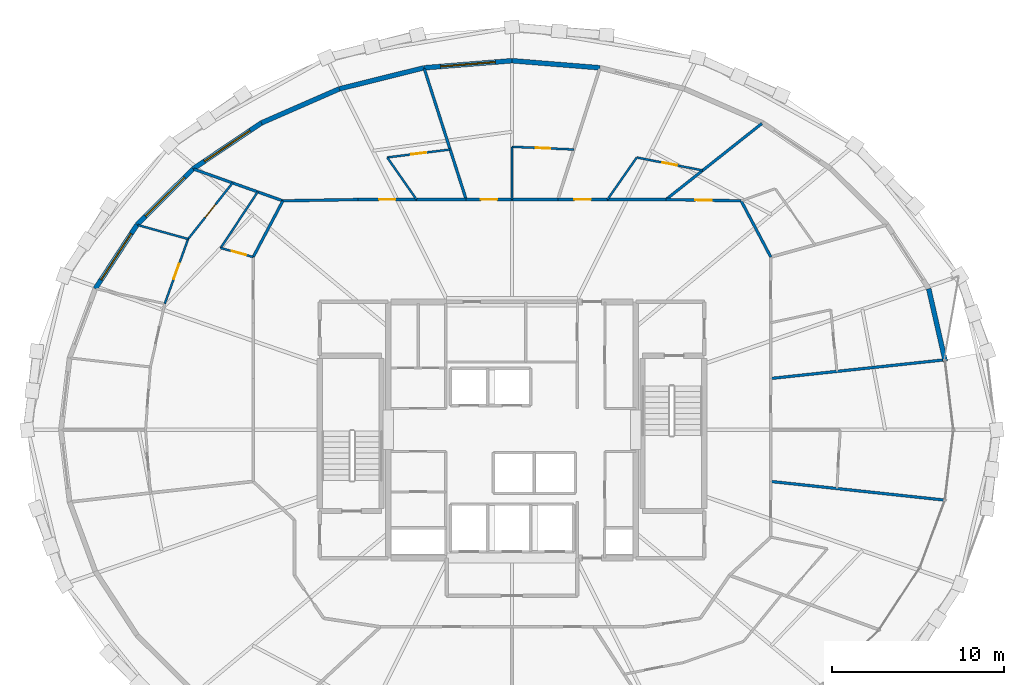
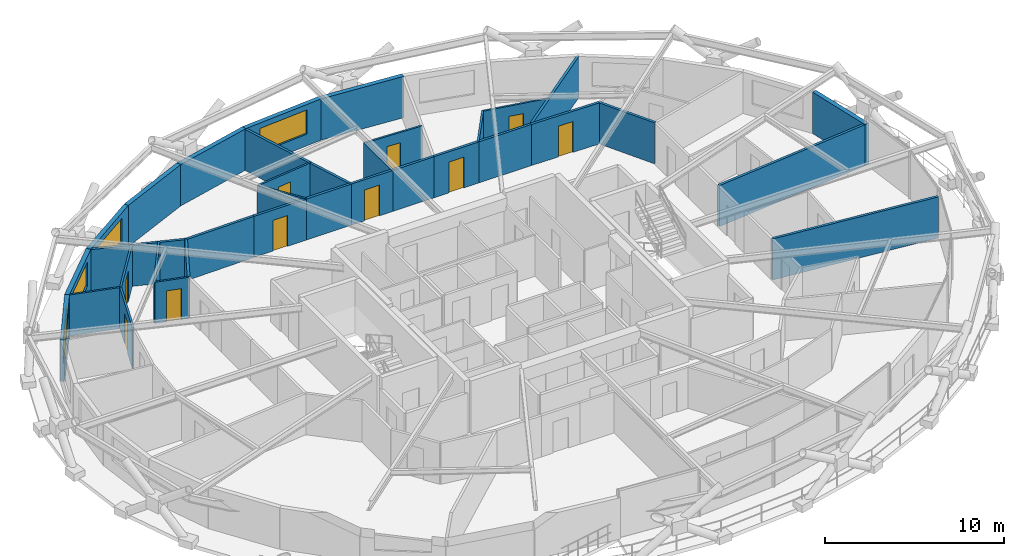
# One storey, part 17 of 19: 34 walls, 10 doors, 4 windows, 14 openings.
"""IFC4 building model written with IfcOpenShell, lengths in metres."""

from ifc_helpers import new_model, si_unit, direction, frame, frame_2d, origin, place, context, subcontext, project, spatial, rectangle, extrude, material, layer, layer_set, type_object, element, fill, save


model = new_model("IFC4")

# Units and contexts
model_context = context("Model", 3, precision=1e-05, world=origin(), true_north=direction((0.0, 1.0)))
body_context = subcontext(model_context, "Body", "Model", "MODEL_VIEW")
ifc_project = project(units=[si_unit("LENGTHUNIT", "METRE"), si_unit("AREAUNIT", "SQUARE_METRE"), si_unit("VOLUMEUNIT", "CUBIC_METRE"), si_unit("PLANEANGLEUNIT", "RADIAN"), si_unit("MASSUNIT", "GRAM", prefix="KILO")], contexts=[model_context])

# Site, building, storey
site_placement = place(None, origin())
site = spatial("IfcSite", under=ifc_project, at=site_placement, CompositionType="ELEMENT")
building_placement = place(site_placement, origin())
building = spatial("IfcBuilding", under=site, at=building_placement, Name="Veldorina Hangang Commons", CompositionType="ELEMENT")
storey_placement = place(building_placement, frame((0.0, 0.0, 160.39990234375)))
storey = spatial("IfcBuildingStorey", under=building, at=storey_placement, Name="L41", CompositionType="ELEMENT", Elevation=160.39990234375)

# Walls
ifc_material_1 = material(Name="Stone Roman Travertine", Category="masonry")
ifc_layer_1 = layer(ifc_material_1, 0.280029296875)
ifc_layer_set_1 = layer_set([ifc_layer_1], Name="Stone Roman Travertine")
wall_type_1 = type_object("IfcWallType", Name="EW-TRAV-280", PredefinedType="STANDARD", material=ifc_layer_set_1)
wall_1_placement = place(storey_placement, frame((57.196044921875, 27.989990234375, 0.0), z_axis=(0.0, 0.0, 1.0), x_axis=(-0.222263610113, 0.974986608944, 0.0)))
element("IfcWall", 1, at=wall_1_placement, inside=storey, type_object=wall_type_1, Name="L41 travertine facade wall 01", PredefinedType="STANDARD", context=body_context, shape_type="SweptSolid", body=[
    extrude(rectangle(XDim=4.33544921875, YDim=0.280029296875, at=frame_2d((2.167724609375, 0.0))), origin(), (0.0, 0.0, 1.0), 2.820068359375),
])
wall_2_placement = place(storey_placement, frame((37.116943359375, 45.0595703125, 0.0), z_axis=(0.0, 0.0, 1.0), x_axis=(-0.996764876848, 0.080372758332, 0.0)))
element("IfcWall", 2, at=wall_2_placement, inside=storey, type_object=wall_type_1, Name="L41 travertine facade wall 07", PredefinedType="STANDARD", context=body_context, shape_type="SweptSolid", body=[
    extrude(rectangle(XDim=5.133544921875, YDim=0.280029296875, at=frame_2d((2.56689453125, 0.0))), origin(), (0.0, 0.0, 1.0), 2.820068359375),
])

# Wall, opening, window
wall_3_placement = place(storey_placement, frame((32.0, 45.47216796875, 0.0), z_axis=(0.0, 0.0, 1.0), x_axis=(-0.996764876848, -0.080372758332, 0.0)))
wall_3 = element("IfcWall", 3, at=wall_3_placement, inside=storey, type_object=wall_type_1, Name="L41 travertine facade wall 08", PredefinedType="STANDARD", context=body_context, shape_type="SweptSolid", body=[
    extrude(rectangle(XDim=5.133544921875, YDim=0.280029296875, at=frame_2d((2.56689453125, 0.0))), origin(), (0.0, 0.0, 1.0), 2.820068359375),
])
opening_1_placement = place(wall_3_placement, frame((0.966796875, 0.0, 0.800048828125)))
opening_1 = element("IfcOpeningElement", 4, at=opening_1_placement, cuts=wall_3, Name="Opening W-01", PredefinedType="OPENING", context=body_context, shape_type="SweptSolid", body=[
    extrude(rectangle(XDim=3.199951171875, YDim=1.64990234375, at=frame_2d((1.60009765625, 0.824951171875))), frame((0.0, 0.14990234375, 0.0), z_axis=(0.0, -1.0, 0.0), x_axis=(1.0, 0.0, 0.0)), (0.0, 0.0, 1.0), 0.300048828125),
])
ifc_material_2 = material(Name="Glass Low-E Triple IGU", Category="glass")
window_type = type_object("IfcWindowType", Name="WIN-TWR-3200", PartitioningType="SINGLE_PANEL", PredefinedType="WINDOW", material=ifc_material_2)
window_1_placement = place(opening_1_placement, origin())
window_1 = element("IfcWindow", 5, at=window_1_placement, inside=storey, type_object=window_type, Name="L41 facade window 08", OverallHeight=1.64990234375, OverallWidth=3.199951171875, PartitioningType="SINGLE_PANEL", PredefinedType="WINDOW", context=body_context, shape_type="SweptSolid", body=[
    extrude(rectangle(XDim=3.199951171875, YDim=1.64990234375, at=frame_2d((1.60009765625, 0.824951171875))), frame((0.0, 0.030029296875, 0.0), z_axis=(0.0, -1.0, 0.0), x_axis=(1.0, 0.0, 0.0)), (0.0, 0.0, 1.0), 0.06005859375),
])
fill(opening_1, window_1)

# Walls
wall_4_placement = place(storey_placement, frame((26.883056640625, 45.0595703125, 0.0), z_axis=(0.0, 0.0, 1.0), x_axis=(-0.970520888712, -0.241017021336, 0.0)))
element("IfcWall", 6, at=wall_4_placement, inside=storey, type_object=wall_type_1, Name="L41 travertine facade wall 09", PredefinedType="STANDARD", context=body_context, shape_type="SweptSolid", body=[
    extrude(rectangle(XDim=5.06982421875, YDim=0.280029296875, at=frame_2d((2.534912109375, 0.0))), origin(), (0.0, 0.0, 1.0), 2.820068359375),
])
wall_5_placement = place(storey_placement, frame((21.962646484375, 43.837646484375, 0.0), z_axis=(0.0, 0.0, 1.0), x_axis=(-0.916141485862, -0.400855058447, 0.0)))
element("IfcWall", 7, at=wall_5_placement, inside=storey, type_object=wall_type_1, Name="L41 travertine facade wall 10", PredefinedType="STANDARD", context=body_context, shape_type="SweptSolid", body=[
    extrude(rectangle(XDim=4.94970703125, YDim=0.280029296875, at=frame_2d((2.474853515625, 0.0))), origin(), (0.0, 0.0, 1.0), 2.820068359375),
])

# Wall, opening, window
wall_6_placement = place(storey_placement, frame((17.427978515625, 41.853515625, 0.0), z_axis=(0.0, 0.0, 1.0), x_axis=(-0.830052550014, -0.557685183787, 0.0)))
wall_6 = element("IfcWall", 8, at=wall_6_placement, inside=storey, type_object=wall_type_1, Name="L41 travertine facade wall 11", PredefinedType="STANDARD", context=body_context, shape_type="SweptSolid", body=[
    extrude(rectangle(XDim=4.788330078125, YDim=0.280029296875, at=frame_2d((2.39404296875, 0.0))), origin(), (0.0, 0.0, 1.0), 2.820068359375),
])
opening_2_placement = place(wall_6_placement, frame((0.794189453125, 0.0, 0.800048828125)))
opening_2 = element("IfcOpeningElement", 9, at=opening_2_placement, cuts=wall_6, Name="Opening W-01", PredefinedType="OPENING", context=body_context, shape_type="SweptSolid", body=[
    extrude(rectangle(XDim=3.199951171875, YDim=1.64990234375, at=frame_2d((1.60009765625, 0.824951171875))), frame((0.0, 0.14990234375, 0.0), z_axis=(0.0, -1.0, 0.0), x_axis=(1.0, 0.0, 0.0)), (0.0, 0.0, 1.0), 0.300048828125),
])
window_2_placement = place(opening_2_placement, origin())
window_2 = element("IfcWindow", 10, at=window_2_placement, inside=storey, type_object=window_type, Name="L41 facade window 11", OverallHeight=1.64990234375, OverallWidth=3.199951171875, PartitioningType="SINGLE_PANEL", PredefinedType="WINDOW", context=body_context, shape_type="SweptSolid", body=[
    extrude(rectangle(XDim=3.199951171875, YDim=1.64990234375, at=frame_2d((1.60009765625, 0.824951171875))), frame((0.0, 0.030029296875, 0.0), z_axis=(0.0, -1.0, 0.0), x_axis=(1.0, 0.0, 0.0)), (0.0, 0.0, 1.0), 0.06005859375),
])
fill(opening_2, window_2)

wall_7_placement = place(storey_placement, frame((13.453369140625, 39.18310546875, 0.0), z_axis=(0.0, 0.0, 1.0), x_axis=(-0.707980552396, -0.706231928922, 0.0)))
wall_7 = element("IfcWall", 11, at=wall_7_placement, inside=storey, type_object=wall_type_1, Name="L41 travertine facade wall 12", PredefinedType="STANDARD", context=body_context, shape_type="SweptSolid", body=[
    extrude(rectangle(XDim=4.607421875, YDim=0.280029296875, at=frame_2d((2.3037109375, 0.0))), origin(), (0.0, 0.0, 1.0), 2.820068359375),
])
opening_3_placement = place(wall_7_placement, frame((0.70361328125, 0.0, 0.800048828125)))
opening_3 = element("IfcOpeningElement", 12, at=opening_3_placement, cuts=wall_7, Name="Opening W-01", PredefinedType="OPENING", context=body_context, shape_type="SweptSolid", body=[
    extrude(rectangle(XDim=3.199951171875, YDim=1.64990234375, at=frame_2d((1.60009765625, 0.824951171875))), frame((0.0, 0.14990234375, 0.0), z_axis=(0.0, -1.0, 0.0), x_axis=(1.0, 0.0, 0.0)), (0.0, 0.0, 1.0), 0.300048828125),
])
window_3_placement = place(opening_3_placement, origin())
window_3 = element("IfcWindow", 13, at=window_3_placement, inside=storey, type_object=window_type, Name="L41 facade window 12", OverallHeight=1.64990234375, OverallWidth=3.199951171875, PartitioningType="SINGLE_PANEL", PredefinedType="WINDOW", context=body_context, shape_type="SweptSolid", body=[
    extrude(rectangle(XDim=3.199951171875, YDim=1.64990234375, at=frame_2d((1.60009765625, 0.824951171875))), frame((0.0, 0.030029296875, 0.0), z_axis=(0.0, -1.0, 0.0), x_axis=(1.0, 0.0, 0.0)), (0.0, 0.0, 1.0), 0.06005859375),
])
fill(opening_3, window_3)

wall_8_placement = place(storey_placement, frame((10.19140625, 35.92919921875, 0.0), z_axis=(0.0, 0.0, 1.0), x_axis=(-0.546719569092, -0.837315778409, 0.0)))
wall_8 = element("IfcWall", 14, at=wall_8_placement, inside=storey, type_object=wall_type_1, Name="L41 travertine facade wall 13", PredefinedType="STANDARD", context=body_context, shape_type="SweptSolid", body=[
    extrude(rectangle(XDim=4.433349609375, YDim=0.280029296875, at=frame_2d((2.216796875, 0.0))), origin(), (0.0, 0.0, 1.0), 2.820068359375),
])
opening_4_placement = place(wall_8_placement, frame((0.61669921875, 0.0, 0.800048828125)))
opening_4 = element("IfcOpeningElement", 15, at=opening_4_placement, cuts=wall_8, Name="Opening W-01", PredefinedType="OPENING", context=body_context, shape_type="SweptSolid", body=[
    extrude(rectangle(XDim=3.199951171875, YDim=1.64990234375, at=frame_2d((1.60009765625, 0.824951171875))), frame((0.0, 0.14990234375, 0.0), z_axis=(0.0, -1.0, 0.0), x_axis=(1.0, 0.0, 0.0)), (0.0, 0.0, 1.0), 0.300048828125),
])
window_4_placement = place(opening_4_placement, origin())
window_4 = element("IfcWindow", 16, at=window_4_placement, inside=storey, type_object=window_type, Name="L41 facade window 13", OverallHeight=1.64990234375, OverallWidth=3.199951171875, PartitioningType="SINGLE_PANEL", PredefinedType="WINDOW", context=body_context, shape_type="SweptSolid", body=[
    extrude(rectangle(XDim=3.199951171875, YDim=1.64990234375, at=frame_2d((1.60009765625, 0.824951171875))), frame((0.0, 0.030029296875, 0.0), z_axis=(0.0, -1.0, 0.0), x_axis=(1.0, 0.0, 0.0)), (0.0, 0.0, 1.0), 0.06005859375),
])
fill(opening_4, window_4)

# Wall
ifc_material_3 = material(Name="Gypsum Fire-Rated Twin Stud Wall", Category="gypsum")
ifc_layer_2 = layer(ifc_material_3, 0.159912109375)
ifc_layer_set_2 = layer_set([ifc_layer_2], Name="Gypsum Fire-Rated Twin Stud Wall")
wall_type_2 = type_object("IfcWallType", Name="WL-FIRE-160", PredefinedType="SOLIDWALL", material=ifc_layer_set_2)
wall_9_placement = place(storey_placement, frame((47.050048828125, 34.05615234375, 0.0), z_axis=(0.0, 0.0, 1.0), x_axis=(-0.466737093093, 0.884396113702, 0.0)))
element("IfcWall", 17, at=wall_9_placement, inside=storey, type_object=wall_type_2, Name="L41 U-corridor outer wall 03 051", PredefinedType="SOLIDWALL", context=body_context, shape_type="SweptSolid", body=[
    extrude(rectangle(XDim=3.696044921875, YDim=0.159912109375, at=frame_2d((1.84814453125, 0.0))), origin(), (0.0, 0.0, 1.0), 2.800048828125),
])

# Wall, opening, door
wall_10_placement = place(storey_placement, frame((45.324951171875, 37.324951171875, 0.0), z_axis=(0.0, 0.0, 1.0), x_axis=(-0.999853038912, 0.017143528788, 0.0)))
wall_10 = element("IfcWall", 18, at=wall_10_placement, inside=storey, type_object=wall_type_2, Name="L41 U-corridor outer wall 04 052", PredefinedType="SOLIDWALL", context=body_context, shape_type="SweptSolid", body=[
    extrude(rectangle(XDim=4.3720703125, YDim=0.159912109375, at=frame_2d((2.18603515625, 0.0))), origin(), (0.0, 0.0, 1.0), 2.800048828125),
])
opening_5_placement = place(wall_10_placement, frame((1.7109375, 0.0, 0.0)))
opening_5 = element("IfcOpeningElement", 19, at=opening_5_placement, cuts=wall_10, Name="Opening D-03", PredefinedType="OPENING", context=body_context, shape_type="SweptSolid", body=[
    extrude(rectangle(XDim=0.949951171875, YDim=2.10009765625, at=frame_2d((0.47509765625, 1.050048828125))), frame((0.0, 0.08984375, 0.0), z_axis=(0.0, -1.0, 0.0), x_axis=(1.0, 0.0, 0.0)), (0.0, 0.0, 1.0), 0.179931640625),
])
ifc_material_4 = material(Name="Timber Fire-Rated Entrance Core", Category="wood")
door_type_1 = type_object("IfcDoorType", Name="DR-UNIT-950", OperationType="SINGLE_SWING_RIGHT", PredefinedType="DOOR", material=ifc_material_4)
door_1_placement = place(opening_5_placement, origin())
door_1 = element("IfcDoor", 20, at=door_1_placement, inside=storey, type_object=door_type_1, Name="L41 Studio 5 entrance door 029", OperationType="SINGLE_SWING_LEFT", OverallHeight=2.10009765625, OverallWidth=0.949951171875, PredefinedType="DOOR", context=body_context, shape_type="SweptSolid", body=[
    extrude(rectangle(XDim=0.949951171875, YDim=2.10009765625, at=frame_2d((0.47509765625, 1.050048828125))), frame((0.0, 0.02490234375, 0.0), z_axis=(0.0, -1.0, 0.0), x_axis=(1.0, 0.0, 0.0)), (0.0, 0.0, 1.0), 0.050048828125),
])
fill(opening_5, door_1)

# Wall
wall_11_placement = place(storey_placement, frame((40.95361328125, 37.39990234375, 0.0), z_axis=(0.0, 0.0, 1.0), x_axis=(-1.0, 0.0, 0.0)))
element("IfcWall", 21, at=wall_11_placement, inside=storey, type_object=wall_type_2, Name="L41 U-corridor outer wall 05 053", PredefinedType="SOLIDWALL", context=body_context, shape_type="SweptSolid", body=[
    extrude(rectangle(XDim=3.403076171875, YDim=0.159912109375, at=frame_2d((1.70166015625, 0.0))), origin(), (0.0, 0.0, 1.0), 2.800048828125),
])

# Wall, opening, door
wall_12_placement = place(storey_placement, frame((37.550537109375, 37.39990234375, 0.0), z_axis=(0.0, 0.0, 1.0), x_axis=(-1.0, 0.0, 0.0)))
wall_12 = element("IfcWall", 22, at=wall_12_placement, inside=storey, type_object=wall_type_2, Name="L41 U-corridor outer wall 06 054", PredefinedType="SOLIDWALL", context=body_context, shape_type="SweptSolid", body=[
    extrude(rectangle(XDim=2.88525390625, YDim=0.159912109375, at=frame_2d((1.442626953125, 0.0))), origin(), (0.0, 0.0, 1.0), 2.800048828125),
])
opening_6_placement = place(wall_12_placement, frame((0.967529296875, 0.0, 0.0)))
opening_6 = element("IfcOpeningElement", 23, at=opening_6_placement, cuts=wall_12, Name="Opening D-03", PredefinedType="OPENING", context=body_context, shape_type="SweptSolid", body=[
    extrude(rectangle(XDim=0.949951171875, YDim=2.10009765625, at=frame_2d((0.47509765625, 1.050048828125))), frame((0.0, 0.08984375, 0.0), z_axis=(0.0, -1.0, 0.0), x_axis=(1.0, 0.0, 0.0)), (0.0, 0.0, 1.0), 0.179931640625),
])
door_2_placement = place(opening_6_placement, origin())
door_2 = element("IfcDoor", 24, at=door_2_placement, inside=storey, type_object=door_type_1, Name="L41 Studio 6 entrance door 031", OperationType="SINGLE_SWING_LEFT", OverallHeight=2.10009765625, OverallWidth=0.949951171875, PredefinedType="DOOR", context=body_context, shape_type="SweptSolid", body=[
    extrude(rectangle(XDim=0.949951171875, YDim=2.10009765625, at=frame_2d((0.47509765625, 1.050048828125))), frame((0.0, 0.02490234375, 0.0), z_axis=(0.0, -1.0, 0.0), x_axis=(1.0, 0.0, 0.0)), (0.0, 0.0, 1.0), 0.050048828125),
])
fill(opening_6, door_2)

# Wall
wall_13_placement = place(storey_placement, frame((34.665283203125, 37.39990234375, 0.0), z_axis=(0.0, 0.0, 1.0), x_axis=(-1.0, 0.0, 0.0)))
element("IfcWall", 25, at=wall_13_placement, inside=storey, type_object=wall_type_2, Name="L41 U-corridor outer wall 07 055", PredefinedType="SOLIDWALL", context=body_context, shape_type="SweptSolid", body=[
    extrude(rectangle(XDim=2.665283203125, YDim=0.159912109375, at=frame_2d((1.33251953125, 0.0))), origin(), (0.0, 0.0, 1.0), 2.800048828125),
])

# Wall, opening, door
wall_14_placement = place(storey_placement, frame((32.0, 37.39990234375, 0.0), z_axis=(0.0, 0.0, 1.0), x_axis=(-1.0, 0.0, 0.0)))
wall_14 = element("IfcWall", 26, at=wall_14_placement, inside=storey, type_object=wall_type_2, Name="L41 U-corridor outer wall 08 056", PredefinedType="SOLIDWALL", context=body_context, shape_type="SweptSolid", body=[
    extrude(rectangle(XDim=2.665283203125, YDim=0.159912109375, at=frame_2d((1.33251953125, 0.0))), origin(), (0.0, 0.0, 1.0), 2.800048828125),
])
opening_7_placement = place(wall_14_placement, frame((0.857666015625, 0.0, 0.0)))
opening_7 = element("IfcOpeningElement", 27, at=opening_7_placement, cuts=wall_14, Name="Opening D-03", PredefinedType="OPENING", context=body_context, shape_type="SweptSolid", body=[
    extrude(rectangle(XDim=0.949951171875, YDim=2.10009765625, at=frame_2d((0.47509765625, 1.050048828125))), frame((0.0, 0.08984375, 0.0), z_axis=(0.0, -1.0, 0.0), x_axis=(1.0, 0.0, 0.0)), (0.0, 0.0, 1.0), 0.179931640625),
])
door_3_placement = place(opening_7_placement, origin())
door_3 = element("IfcDoor", 28, at=door_3_placement, inside=storey, type_object=door_type_1, Name="L41 Studio 7 entrance door 033", OperationType="SINGLE_SWING_LEFT", OverallHeight=2.10009765625, OverallWidth=0.949951171875, PredefinedType="DOOR", context=body_context, shape_type="SweptSolid", body=[
    extrude(rectangle(XDim=0.949951171875, YDim=2.10009765625, at=frame_2d((0.47509765625, 1.050048828125))), frame((0.0, 0.02490234375, 0.0), z_axis=(0.0, -1.0, 0.0), x_axis=(1.0, 0.0, 0.0)), (0.0, 0.0, 1.0), 0.050048828125),
])
fill(opening_7, door_3)

# Wall
wall_15_placement = place(storey_placement, frame((29.334716796875, 37.39990234375, 0.0), z_axis=(0.0, 0.0, 1.0), x_axis=(-1.0, 0.0, 0.0)))
element("IfcWall", 29, at=wall_15_placement, inside=storey, type_object=wall_type_2, Name="L41 U-corridor outer wall 09 057", PredefinedType="SOLIDWALL", context=body_context, shape_type="SweptSolid", body=[
    extrude(rectangle(XDim=2.88525390625, YDim=0.159912109375, at=frame_2d((1.442626953125, 0.0))), origin(), (0.0, 0.0, 1.0), 2.800048828125),
])

# Wall, opening, door
wall_16_placement = place(storey_placement, frame((26.449462890625, 37.39990234375, 0.0), z_axis=(0.0, 0.0, 1.0), x_axis=(-1.0, 0.0, 0.0)))
wall_16 = element("IfcWall", 30, at=wall_16_placement, inside=storey, type_object=wall_type_2, Name="L41 U-corridor outer wall 10 058", PredefinedType="SOLIDWALL", context=body_context, shape_type="SweptSolid", body=[
    extrude(rectangle(XDim=3.403076171875, YDim=0.159912109375, at=frame_2d((1.70166015625, 0.0))), origin(), (0.0, 0.0, 1.0), 2.800048828125),
])
opening_8_placement = place(wall_16_placement, frame((1.2265625, 0.0, 0.0)))
opening_8 = element("IfcOpeningElement", 31, at=opening_8_placement, cuts=wall_16, Name="Opening D-03", PredefinedType="OPENING", context=body_context, shape_type="SweptSolid", body=[
    extrude(rectangle(XDim=0.949951171875, YDim=2.10009765625, at=frame_2d((0.47509765625, 1.050048828125))), frame((0.0, 0.08984375, 0.0), z_axis=(0.0, -1.0, 0.0), x_axis=(1.0, 0.0, 0.0)), (0.0, 0.0, 1.0), 0.179931640625),
])
door_4_placement = place(opening_8_placement, origin())
door_4 = element("IfcDoor", 32, at=door_4_placement, inside=storey, type_object=door_type_1, Name="L41 Studio 8 entrance door 035", OperationType="SINGLE_SWING_LEFT", OverallHeight=2.10009765625, OverallWidth=0.949951171875, PredefinedType="DOOR", context=body_context, shape_type="SweptSolid", body=[
    extrude(rectangle(XDim=0.949951171875, YDim=2.10009765625, at=frame_2d((0.47509765625, 1.050048828125))), frame((0.0, 0.02490234375, 0.0), z_axis=(0.0, -1.0, 0.0), x_axis=(1.0, 0.0, 0.0)), (0.0, 0.0, 1.0), 0.050048828125),
])
fill(opening_8, door_4)

# Walls
wall_17_placement = place(storey_placement, frame((23.04638671875, 37.39990234375, 0.0), z_axis=(0.0, 0.0, 1.0), x_axis=(-0.999853038912, -0.017143528788, 0.0)))
element("IfcWall", 33, at=wall_17_placement, inside=storey, type_object=wall_type_2, Name="L41 U-corridor outer wall 11 059", PredefinedType="SOLIDWALL", context=body_context, shape_type="SweptSolid", body=[
    extrude(rectangle(XDim=4.3720703125, YDim=0.159912109375, at=frame_2d((2.18603515625, 0.0))), origin(), (0.0, 0.0, 1.0), 2.800048828125),
])
wall_18_placement = place(storey_placement, frame((18.675048828125, 37.324951171875, 0.0), z_axis=(0.0, 0.0, 1.0), x_axis=(-0.466737093093, -0.884396113702, 0.0)))
element("IfcWall", 34, at=wall_18_placement, inside=storey, type_object=wall_type_2, Name="L41 U-corridor outer wall 12 060", PredefinedType="SOLIDWALL", context=body_context, shape_type="SweptSolid", body=[
    extrude(rectangle(XDim=3.696044921875, YDim=0.159912109375, at=frame_2d((1.84814453125, 0.0))), origin(), (0.0, 0.0, 1.0), 2.800048828125),
])
for number, where, z_axis, x_axis, name in (
    (35, (47.050048828125, 21.00634765625, 0.0), (0.0, 0.0, 1.0), (0.994296113165, -0.1066547671, 0.0), "L41 Unit party wall 31 087"),
    (36, (47.050048828125, 26.99365234375, 0.0), (0.0, 0.0, 1.0), (0.994296113165, 0.1066547671, 0.0), "L41 Unit party wall 01 090"),
):
    element("IfcWall", number, at=place(storey_placement, frame(where, z_axis=z_axis, x_axis=x_axis)), inside=storey, type_object=wall_type_2, Name=name, PredefinedType="SOLIDWALL", context=body_context, shape_type="SweptSolid", body=[
        extrude(rectangle(XDim=10.1337890625, YDim=0.159912109375, at=frame_2d((5.06689453125, 0.0))), origin(), (0.0, 0.0, 1.0), 2.800048828125),
    ])
wall_19_placement = place(storey_placement, frame((40.95361328125, 37.39990234375, 0.0), z_axis=(0.0, 0.0, 1.0), x_axis=(0.783647916584, 0.621205234068, 0.0)))
element("IfcWall", 37, at=wall_19_placement, inside=storey, type_object=wall_type_2, Name="L41 Unit party wall 05 096", PredefinedType="SOLIDWALL", context=body_context, shape_type="SweptSolid", body=[
    extrude(rectangle(XDim=7.119384765625, YDim=0.159912109375, at=frame_2d((3.5595703125, 0.0))), origin(), (0.0, 0.0, 1.0), 2.800048828125),
])
wall_20_placement = place(storey_placement, frame((29.334716796875, 37.39990234375, 0.0), z_axis=(0.0, 0.0, 1.0), x_axis=(-0.304851094137, 0.952400026461, 0.0)))
element("IfcWall", 38, at=wall_20_placement, inside=storey, type_object=wall_type_2, Name="L41 Unit party wall 09 102", PredefinedType="SOLIDWALL", context=body_context, shape_type="SweptSolid", body=[
    extrude(rectangle(XDim=7.992431640625, YDim=0.159912109375, at=frame_2d((3.99609375, 0.0))), origin(), (0.0, 0.0, 1.0), 2.800048828125),
])
wall_21_placement = place(storey_placement, frame((18.675048828125, 37.324951171875, 0.0), z_axis=(0.0, 0.0, 1.0), x_axis=(-0.942130475263, 0.33524642814, 0.0)))
element("IfcWall", 39, at=wall_21_placement, inside=storey, type_object=wall_type_2, Name="L41 Unit party wall 12 105", PredefinedType="SOLIDWALL", context=body_context, shape_type="SweptSolid", body=[
    extrude(rectangle(XDim=5.492431640625, YDim=0.159912109375, at=frame_2d((2.74609375, 0.0))), origin(), (0.0, 0.0, 1.0), 2.800048828125),
])

# Wall, opening, door
ifc_material_5 = material(Name="Gypsum Acoustic Stud Partition", Category="gypsum")
ifc_layer_3 = layer(ifc_material_5, 0.1201171875)
ifc_layer_set_3 = layer_set([ifc_layer_3], Name="Gypsum Acoustic Stud Partition")
wall_type_3 = type_object("IfcWallType", Name="WL-PART-120", PredefinedType="PARTITIONING", material=ifc_layer_set_3)
wall_22_placement = place(storey_placement, frame((43.088623046875, 39.09228515625, 0.0), z_axis=(0.0, 0.0, 1.0), x_axis=(-0.981200665244, 0.192990296451, 0.0)))
wall_22 = element("IfcWall", 40, at=wall_22_placement, inside=storey, type_object=wall_type_3, Name="L41 Studio 6 bath front wall 097", PredefinedType="PARTITIONING", context=body_context, shape_type="SweptSolid", body=[
    extrude(rectangle(XDim=3.906494140625, YDim=0.1201171875, at=frame_2d((1.953125, 0.0))), origin(), (0.0, 0.0, 1.0), 2.800048828125),
])
opening_9_placement = place(wall_22_placement, frame((1.523193359375, 0.0, 0.0)))
opening_9 = element("IfcOpeningElement", 41, at=opening_9_placement, cuts=wall_22, Name="Opening D-01", PredefinedType="OPENING", context=body_context, shape_type="SweptSolid", body=[
    extrude(rectangle(XDim=0.860107421875, YDim=2.10009765625, at=frame_2d((0.43017578125, 1.050048828125))), frame((0.0, 0.070068359375, 0.0), z_axis=(0.0, -1.0, 0.0), x_axis=(1.0, 0.0, 0.0)), (0.0, 0.0, 1.0), 0.14013671875),
])
ifc_material_6 = material(Name="Timber Moisture-Resistant Core", Category="wood")
door_type_2 = type_object("IfcDoorType", Name="DR-WET-860", OperationType="SINGLE_SWING_LEFT", PredefinedType="DOOR", material=ifc_material_6)
door_5_placement = place(opening_9_placement, origin())
door_5 = element("IfcDoor", 42, at=door_5_placement, inside=storey, type_object=door_type_2, Name="L41 Studio 6 bathroom door 030", OperationType="SINGLE_SWING_RIGHT", OverallHeight=2.10009765625, OverallWidth=0.860107421875, PredefinedType="DOOR", context=body_context, shape_type="SweptSolid", body=[
    extrude(rectangle(XDim=0.860107421875, YDim=2.10009765625, at=frame_2d((0.43017578125, 1.050048828125))), frame((0.0, 0.02490234375, 0.0), z_axis=(0.0, -1.0, 0.0), x_axis=(1.0, 0.0, 0.0)), (0.0, 0.0, 1.0), 0.050048828125),
])
fill(opening_9, door_5)

# Wall
wall_23_placement = place(storey_placement, frame((37.550537109375, 37.39990234375, 0.0), z_axis=(0.0, 0.0, 1.0), x_axis=(0.571812700065, 0.820384200265, 0.0)))
element("IfcWall", 43, at=wall_23_placement, inside=storey, type_object=wall_type_3, Name="L41 Studio 6 bath side wall 098", PredefinedType="PARTITIONING", context=body_context, shape_type="SweptSolid", body=[
    extrude(rectangle(XDim=2.98193359375, YDim=0.1201171875, at=frame_2d((1.490966796875, 0.0))), origin(), (0.0, 0.0, 1.0), 2.800048828125),
])

# Wall, opening, door
wall_24_placement = place(storey_placement, frame((35.596923828125, 40.310546875, 0.0), z_axis=(0.0, 0.0, 1.0), x_axis=(-0.999051931473, 0.043534333809, 0.0)))
wall_24 = element("IfcWall", 44, at=wall_24_placement, inside=storey, type_object=wall_type_3, Name="L41 Studio 7 bath front wall 100", PredefinedType="PARTITIONING", context=body_context, shape_type="SweptSolid", body=[
    extrude(rectangle(XDim=3.600341796875, YDim=0.1201171875, at=frame_2d((1.80029296875, 0.0))), origin(), (0.0, 0.0, 1.0), 2.800048828125),
])
opening_10_placement = place(wall_24_placement, frame((1.3701171875, 0.0, 0.0)))
opening_10 = element("IfcOpeningElement", 45, at=opening_10_placement, cuts=wall_24, Name="Opening D-01", PredefinedType="OPENING", context=body_context, shape_type="SweptSolid", body=[
    extrude(rectangle(XDim=0.860107421875, YDim=2.10009765625, at=frame_2d((0.43017578125, 1.050048828125))), frame((0.0, 0.070068359375, 0.0), z_axis=(0.0, -1.0, 0.0), x_axis=(1.0, 0.0, 0.0)), (0.0, 0.0, 1.0), 0.14013671875),
])
door_6_placement = place(opening_10_placement, origin())
door_6 = element("IfcDoor", 46, at=door_6_placement, inside=storey, type_object=door_type_2, Name="L41 Studio 7 bathroom door 032", OperationType="SINGLE_SWING_RIGHT", OverallHeight=2.10009765625, OverallWidth=0.860107421875, PredefinedType="DOOR", context=body_context, shape_type="SweptSolid", body=[
    extrude(rectangle(XDim=0.860107421875, YDim=2.10009765625, at=frame_2d((0.43017578125, 1.050048828125))), frame((0.0, 0.02490234375, 0.0), z_axis=(0.0, -1.0, 0.0), x_axis=(1.0, 0.0, 0.0)), (0.0, 0.0, 1.0), 0.050048828125),
])
fill(opening_10, door_6)

# Wall
wall_25_placement = place(storey_placement, frame((32.0, 37.39990234375, 0.0), z_axis=(0.0, 0.0, 1.0), x_axis=(0.0, 1.0, 0.0)))
element("IfcWall", 47, at=wall_25_placement, inside=storey, type_object=wall_type_3, Name="L41 Studio 7 bath side wall 101", PredefinedType="PARTITIONING", context=body_context, shape_type="SweptSolid", body=[
    extrude(rectangle(XDim=3.0673828125, YDim=0.1201171875, at=frame_2d((1.53369140625, 0.0))), origin(), (0.0, 0.0, 1.0), 2.800048828125),
])

# Wall, opening, door
wall_26_placement = place(storey_placement, frame((28.403076171875, 40.310546875, 0.0), z_axis=(0.0, 0.0, 1.0), x_axis=(-0.992041868523, -0.125908423457, 0.0)))
wall_26 = element("IfcWall", 48, at=wall_26_placement, inside=storey, type_object=wall_type_3, Name="L41 Studio 8 bath front wall 103", PredefinedType="PARTITIONING", context=body_context, shape_type="SweptSolid", body=[
    extrude(rectangle(XDim=3.68798828125, YDim=0.1201171875, at=frame_2d((1.843994140625, 0.0))), origin(), (0.0, 0.0, 1.0), 2.800048828125),
])
opening_11_placement = place(wall_26_placement, frame((1.413818359375, 0.0, 0.0)))
opening_11 = element("IfcOpeningElement", 49, at=opening_11_placement, cuts=wall_26, Name="Opening D-01", PredefinedType="OPENING", context=body_context, shape_type="SweptSolid", body=[
    extrude(rectangle(XDim=0.860107421875, YDim=2.10009765625, at=frame_2d((0.43017578125, 1.050048828125))), frame((0.0, 0.070068359375, 0.0), z_axis=(0.0, -1.0, 0.0), x_axis=(1.0, 0.0, 0.0)), (0.0, 0.0, 1.0), 0.14013671875),
])
door_7_placement = place(opening_11_placement, origin())
door_7 = element("IfcDoor", 50, at=door_7_placement, inside=storey, type_object=door_type_2, Name="L41 Studio 8 bathroom door 034", OperationType="SINGLE_SWING_RIGHT", OverallHeight=2.10009765625, OverallWidth=0.860107421875, PredefinedType="DOOR", context=body_context, shape_type="SweptSolid", body=[
    extrude(rectangle(XDim=0.860107421875, YDim=2.10009765625, at=frame_2d((0.43017578125, 1.050048828125))), frame((0.0, 0.02490234375, 0.0), z_axis=(0.0, -1.0, 0.0), x_axis=(1.0, 0.0, 0.0)), (0.0, 0.0, 1.0), 0.050048828125),
])
fill(opening_11, door_7)

# Walls
wall_27_placement = place(storey_placement, frame((26.449462890625, 37.39990234375, 0.0), z_axis=(0.0, 0.0, 1.0), x_axis=(-0.571812700065, 0.820384200265, 0.0)))
element("IfcWall", 51, at=wall_27_placement, inside=storey, type_object=wall_type_3, Name="L41 Studio 8 bath side wall 104", PredefinedType="PARTITIONING", context=body_context, shape_type="SweptSolid", body=[
    extrude(rectangle(XDim=2.98193359375, YDim=0.1201171875, at=frame_2d((1.490966796875, 0.0))), origin(), (0.0, 0.0, 1.0), 2.800048828125),
])
wall_28_placement = place(storey_placement, frame((17.212890625, 37.84521484375, 0.0), z_axis=(0.0, 0.0, 1.0), x_axis=(-0.550950015984, -0.834538243514, 0.0)))
element("IfcWall", 52, at=wall_28_placement, inside=storey, type_object=wall_type_3, Name="L41 Cluster 9 bath front wall 106", PredefinedType="PARTITIONING", context=body_context, shape_type="SweptSolid", body=[
    extrude(rectangle(XDim=3.911865234375, YDim=0.1201171875, at=frame_2d((1.9560546875, 0.0))), origin(), (0.0, 0.0, 1.0), 2.800048828125),
])

# Wall, opening, door
wall_29_placement = place(storey_placement, frame((16.949951171875, 34.05615234375, 0.0), z_axis=(0.0, 0.0, 1.0), x_axis=(-0.963679824713, 0.267060284284, 0.0)))
wall_29 = element("IfcWall", 53, at=wall_29_placement, inside=storey, type_object=wall_type_3, Name="L41 Cluster 9 bath side wall 107", PredefinedType="PARTITIONING", context=body_context, shape_type="SweptSolid", body=[
    extrude(rectangle(XDim=1.963623046875, YDim=0.1201171875, at=frame_2d((0.98193359375, 0.0))), origin(), (0.0, 0.0, 1.0), 2.800048828125),
])
opening_12_placement = place(wall_29_placement, frame((0.43994140625, 0.0, 0.0)))
opening_12 = element("IfcOpeningElement", 54, at=opening_12_placement, cuts=wall_29, Name="Opening D-01", PredefinedType="OPENING", context=body_context, shape_type="SweptSolid", body=[
    extrude(rectangle(XDim=0.860107421875, YDim=2.10009765625, at=frame_2d((0.43017578125, 1.050048828125))), frame((0.0, 0.070068359375, 0.0), z_axis=(0.0, -1.0, 0.0), x_axis=(1.0, 0.0, 0.0)), (0.0, 0.0, 1.0), 0.14013671875),
])
door_8_placement = place(opening_12_placement, origin())
door_8 = element("IfcDoor", 55, at=door_8_placement, inside=storey, type_object=door_type_2, Name="L41 Cluster 9 shared bathroom door 036", OperationType="SINGLE_SWING_RIGHT", OverallHeight=2.10009765625, OverallWidth=0.860107421875, PredefinedType="DOOR", context=body_context, shape_type="SweptSolid", body=[
    extrude(rectangle(XDim=0.860107421875, YDim=2.10009765625, at=frame_2d((0.43017578125, 1.050048828125))), frame((0.0, 0.02490234375, 0.0), z_axis=(0.0, -1.0, 0.0), x_axis=(1.0, 0.0, 0.0)), (0.0, 0.0, 1.0), 0.050048828125),
])
fill(opening_12, door_8)

wall_30_placement = place(storey_placement, frame((15.7509765625, 38.365478515625, 0.0), z_axis=(0.0, 0.0, 1.0), x_axis=(-0.621362421162, -0.783523287189, 0.0)))
wall_30 = element("IfcWall", 56, at=wall_30_placement, inside=storey, type_object=wall_type_3, Name="L41 Cluster 9 bed 1 front wall 108", PredefinedType="PARTITIONING", context=body_context, shape_type="SweptSolid", body=[
    extrude(rectangle(XDim=4.161376953125, YDim=0.1201171875, at=frame_2d((2.08056640625, 0.0))), origin(), (0.0, 0.0, 1.0), 2.800048828125),
])
opening_13_placement = place(wall_30_placement, frame((1.605712890625, 0.0, 0.0)))
opening_13 = element("IfcOpeningElement", 57, at=opening_13_placement, cuts=wall_30, Name="Opening D-02", PredefinedType="OPENING", context=body_context, shape_type="SweptSolid", body=[
    extrude(rectangle(XDim=0.949951171875, YDim=2.10009765625, at=frame_2d((0.47509765625, 1.050048828125))), frame((0.0, 0.070068359375, 0.0), z_axis=(0.0, -1.0, 0.0), x_axis=(1.0, 0.0, 0.0)), (0.0, 0.0, 1.0), 0.14013671875),
])
ifc_material_7 = material(Name="Timber Solid Core Acoustic", Category="wood")
door_type_3 = type_object("IfcDoorType", Name="DR-INT-950", OperationType="SINGLE_SWING_LEFT", PredefinedType="DOOR", material=ifc_material_7)
door_9_placement = place(opening_13_placement, origin())
door_9 = element("IfcDoor", 58, at=door_9_placement, inside=storey, type_object=door_type_3, Name="L41 Cluster 9 bed 1 door 038", OperationType="SINGLE_SWING_RIGHT", OverallHeight=2.10009765625, OverallWidth=0.949951171875, PredefinedType="DOOR", context=body_context, shape_type="SweptSolid", body=[
    extrude(rectangle(XDim=0.949951171875, YDim=2.10009765625, at=frame_2d((0.47509765625, 1.050048828125))), frame((0.0, 0.02490234375, 0.0), z_axis=(0.0, -1.0, 0.0), x_axis=(1.0, 0.0, 0.0)), (0.0, 0.0, 1.0), 0.050048828125),
])
fill(opening_13, door_9)

wall_31_placement = place(storey_placement, frame((13.165283203125, 35.10498046875, 0.0), z_axis=(0.0, 0.0, 1.0), x_axis=(-0.339525914207, -0.940596700814, 0.0)))
wall_31 = element("IfcWall", 59, at=wall_31_placement, inside=storey, type_object=wall_type_3, Name="L41 Cluster 9 bed 2 front wall 109", PredefinedType="PARTITIONING", context=body_context, shape_type="SweptSolid", body=[
    extrude(rectangle(XDim=3.998046875, YDim=0.1201171875, at=frame_2d((1.9990234375, 0.0))), origin(), (0.0, 0.0, 1.0), 2.800048828125),
])
opening_14_placement = place(wall_31_placement, frame((1.52392578125, 0.0, 0.0)))
opening_14 = element("IfcOpeningElement", 60, at=opening_14_placement, cuts=wall_31, Name="Opening D-02", PredefinedType="OPENING", context=body_context, shape_type="SweptSolid", body=[
    extrude(rectangle(XDim=0.949951171875, YDim=2.10009765625, at=frame_2d((0.47509765625, 1.050048828125))), frame((0.0, 0.070068359375, 0.0), z_axis=(0.0, -1.0, 0.0), x_axis=(1.0, 0.0, 0.0)), (0.0, 0.0, 1.0), 0.14013671875),
])
door_10_placement = place(opening_14_placement, origin())
door_10 = element("IfcDoor", 61, at=door_10_placement, inside=storey, type_object=door_type_3, Name="L41 Cluster 9 bed 2 door 039", OperationType="SINGLE_SWING_LEFT", OverallHeight=2.10009765625, OverallWidth=0.949951171875, PredefinedType="DOOR", context=body_context, shape_type="SweptSolid", body=[
    extrude(rectangle(XDim=0.949951171875, YDim=2.10009765625, at=frame_2d((0.47509765625, 1.050048828125))), frame((0.0, 0.02490234375, 0.0), z_axis=(0.0, -1.0, 0.0), x_axis=(1.0, 0.0, 0.0)), (0.0, 0.0, 1.0), 0.050048828125),
])
fill(opening_14, door_10)

# Wall
wall_32_placement = place(storey_placement, frame((13.165283203125, 35.10498046875, 0.0), z_axis=(0.0, 0.0, 1.0), x_axis=(-0.963654886385, 0.267150257245, 0.0)))
element("IfcWall", 62, at=wall_32_placement, inside=storey, type_object=wall_type_3, Name="L41 Cluster 9 bed divider 1 110", PredefinedType="PARTITIONING", context=body_context, shape_type="SweptSolid", body=[
    extrude(rectangle(XDim=3.035888671875, YDim=0.1201171875, at=frame_2d((1.51806640625, 0.0))), origin(), (0.0, 0.0, 1.0), 2.800048828125),
])

save(model, "model.ifc")
